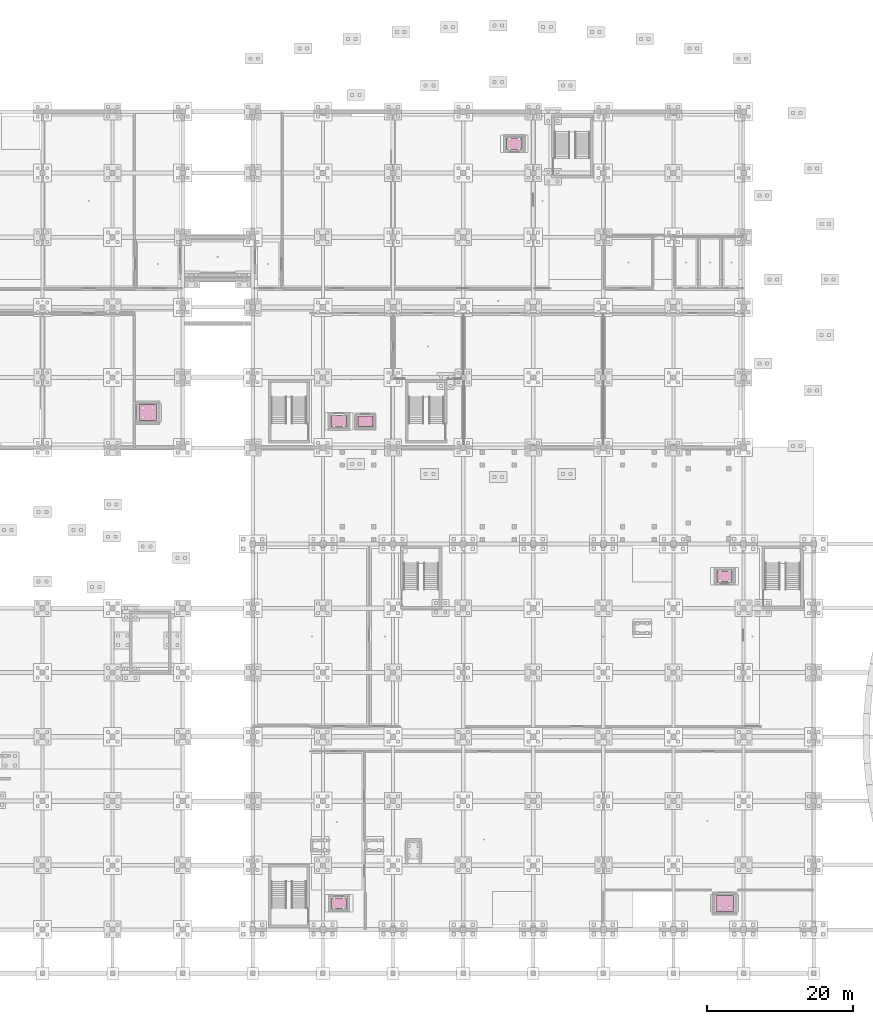
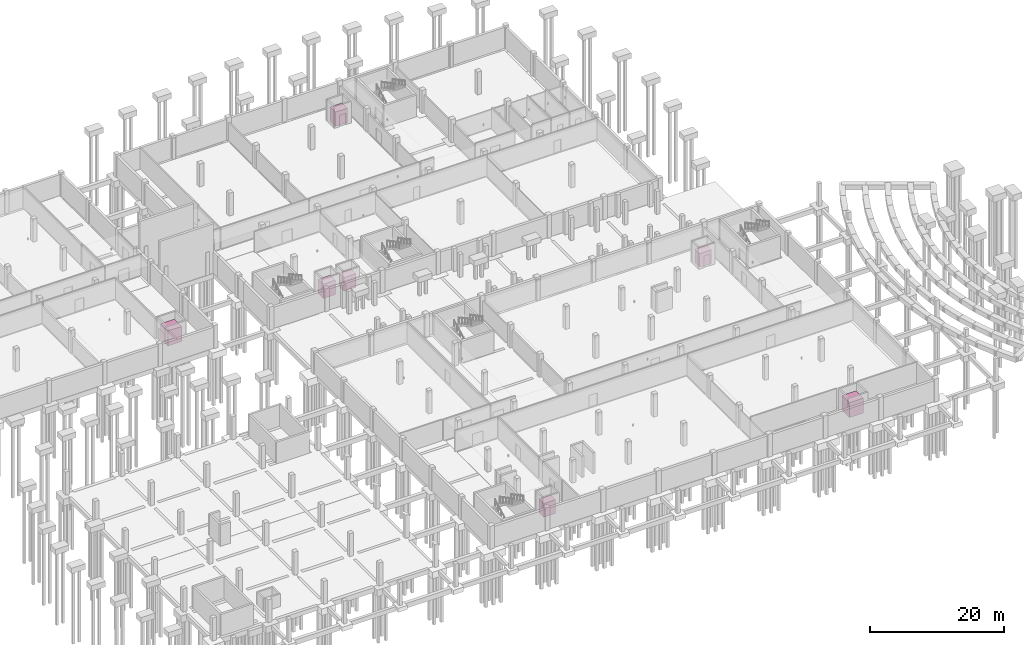
# One storey, part 31 of 31: 7 transport elements.
"""IFC4 building model written with IfcOpenShell, lengths in metres."""

from ifc_helpers import new_model, si_unit, direction, frame, origin, origin_2d, place, context, subcontext, project, spatial, rectangle, extrude, material, type_object, element, save


model = new_model("IFC4")

# Units and contexts
model_context = context("Model", 3, precision=1e-05, world=origin(), true_north=direction((0.0, 1.0)))
body_context = subcontext(model_context, "Body", "Model", "MODEL_VIEW")
ifc_project = project(units=[si_unit("LENGTHUNIT", "METRE"), si_unit("AREAUNIT", "SQUARE_METRE"), si_unit("VOLUMEUNIT", "CUBIC_METRE"), si_unit("PLANEANGLEUNIT", "RADIAN"), si_unit("MASSUNIT", "GRAM", prefix="KILO")], contexts=[model_context])

# Site, building, storey
site_placement = place(None, origin())
site = spatial("IfcSite", under=ifc_project, at=site_placement, CompositionType="ELEMENT")
building_placement = place(site_placement, origin())
building = spatial("IfcBuilding", under=site, at=building_placement, Name="Chalmorin Arch Market", CompositionType="ELEMENT")
storey_placement = place(building_placement, frame((0.0, 0.0, -4.199951171875)))
storey = spatial("IfcBuildingStorey", under=building, at=storey_placement, Name="B1", CompositionType="ELEMENT", Elevation=-4.199951171875)

# Transport elements
ifc_material = material(Name="Stainless Steel 316", Category="steel")
transport_element_type_1 = type_object("IfcTransportElementType", Name="ColdChainFreightLift-2400x2200", PredefinedType="ELEVATOR", material=ifc_material)
for number, where, z_axis, x_axis, name in (
    (1, (33.60009765625, 76.800048828125, 0.0), (0.0, 0.0, 1.0), (1.0, 0.0, 0.0), "LF-FR1"),
    (2, (112.60009765625, 9.60009765625, 0.0), (0.0, 0.0, 1.0), (1.0, 0.0, 0.0), "LF-FR2"),
):
    element("IfcTransportElement", number, at=place(storey_placement, frame(where, z_axis=z_axis, x_axis=x_axis)), inside=storey, type_object=transport_element_type_1, Name=name, PredefinedType="ELEVATOR", context=body_context, shape_type="SweptSolid", body=[
        extrude(rectangle(XDim=2.39990234375, YDim=2.199951171875, at=origin_2d()), origin(), (0.0, 0.0, 1.0), 2.75),
    ])
transport_element_type_2 = type_object("IfcTransportElementType", Name="FirefightingStretcherLift-2100x1600", PredefinedType="ELEVATOR", material=ifc_material)
for number, where, z_axis, x_axis, name in (
    (3, (59.800048828125, 75.60009765625, 0.0), (0.0, 0.0, 1.0), (1.0, 0.0, 0.0), "LF-FF1"),
    (4, (83.800048828125, 113.60009765625, 0.0), (0.0, 0.0, 1.0), (1.0, 0.0, 0.0), "LF-FF2"),
):
    element("IfcTransportElement", number, at=place(storey_placement, frame(where, z_axis=z_axis, x_axis=x_axis)), inside=storey, type_object=transport_element_type_2, Name=name, PredefinedType="ELEVATOR", context=body_context, shape_type="SweptSolid", body=[
        extrude(rectangle(XDim=2.10009765625, YDim=1.60009765625, at=origin_2d()), origin(), (0.0, 0.0, 1.0), 2.60009765625),
    ])
transport_element_type_3 = type_object("IfcTransportElementType", Name="PassengerMarketLift-2050x1450", PredefinedType="ELEVATOR", material=ifc_material)
for number, where, z_axis, x_axis, name in (
    (5, (59.800048828125, 9.60009765625, 0.0), (0.0, 0.0, 1.0), (1.0, 0.0, 0.0), "LF-P2"),
    (6, (112.60009765625, 54.39990234375, 0.0), (0.0, 0.0, 1.0), (1.0, 0.0, 0.0), "LF-P3"),
    (7, (63.39990234375, 75.60009765625, 0.0), (0.0, 0.0, 1.0), (1.0, 0.0, 0.0), "LF-P4"),
):
    element("IfcTransportElement", number, at=place(storey_placement, frame(where, z_axis=z_axis, x_axis=x_axis)), inside=storey, type_object=transport_element_type_3, Name=name, PredefinedType="ELEVATOR", context=body_context, shape_type="SweptSolid", body=[
        extrude(rectangle(XDim=2.050048828125, YDim=1.449951171875, at=origin_2d()), origin(), (0.0, 0.0, 1.0), 2.5),
    ])

save(model, "model.ifc")
